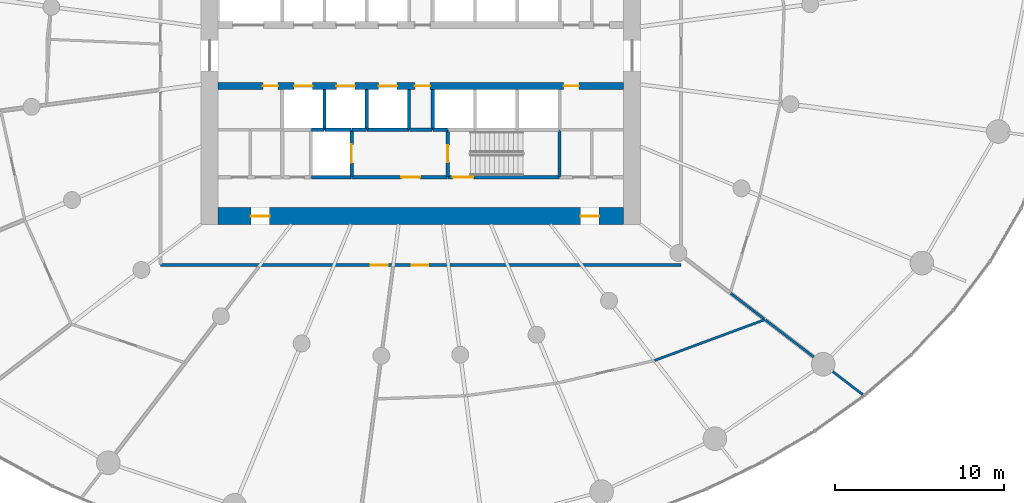
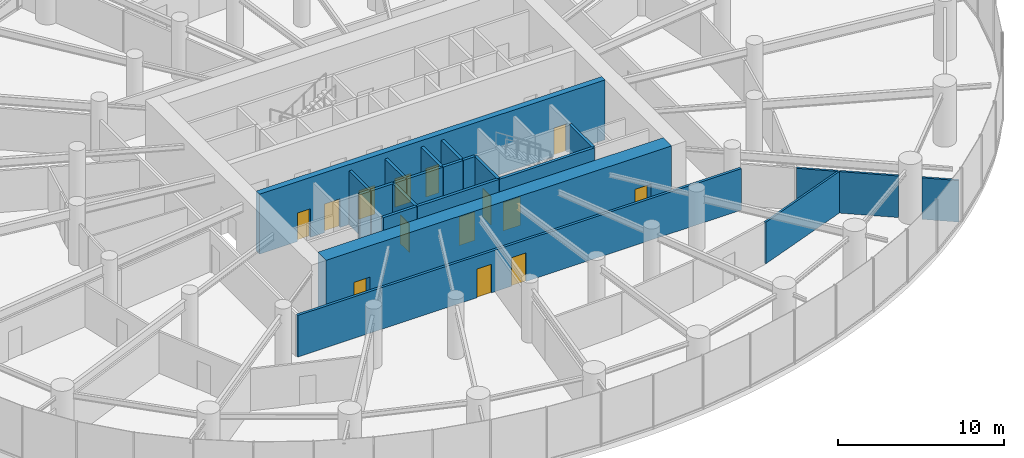
# One storey, part 12 of 18: 23 walls, 14 doors, 14 openings.
"""IFC4 building model written with IfcOpenShell, lengths in metres."""

from ifc_helpers import new_model, si_unit, direction, frame, frame_2d, origin, place, context, subcontext, project, spatial, rectangle, extrude, source, transform, mapped, material, layer, layer_set, type_object, element, fill, save


model = new_model("IFC4")

# Units and contexts
model_context = context("Model", 3, precision=1e-05, world=origin(), true_north=direction((0.0, 1.0)))
body_context = subcontext(model_context, "Body", "Model", "MODEL_VIEW")
ifc_project = project(units=[si_unit("LENGTHUNIT", "METRE"), si_unit("AREAUNIT", "SQUARE_METRE"), si_unit("VOLUMEUNIT", "CUBIC_METRE"), si_unit("PLANEANGLEUNIT", "RADIAN"), si_unit("MASSUNIT", "GRAM", prefix="KILO")], contexts=[model_context])

# Site, building, storey
site_placement = place(None, origin())
site = spatial("IfcSite", under=ifc_project, at=site_placement, CompositionType="ELEMENT")
building_placement = place(site_placement, origin())
building = spatial("IfcBuilding", under=site, at=building_placement, Name="Spindrift Exchange Tower", CompositionType="ELEMENT")
storey_placement = place(building_placement, frame((0.0, 0.0, 40.199951171875)))
storey = spatial("IfcBuildingStorey", under=building, at=storey_placement, Name="L09", CompositionType="ELEMENT", Elevation=40.199951171875)

# Wall, openings, doors
ifc_material_1 = material(Name="Concrete 80 MPa", Category="concrete")
ifc_layer_1 = layer(ifc_material_1, 1.0)
ifc_layer_set_1 = layer_set([ifc_layer_1], Name="RC Core Wall 1000 Concrete 80 MPa")
wall_type_1 = type_object("IfcWallType", Name="RC Core Wall 1000 Concrete 80 MPa", PredefinedType="SHEAR", material=ifc_layer_set_1)
wall_1_placement = place(storey_placement, frame((40.0, 38.5, 0.0), z_axis=(0.0, 0.0, 1.0), x_axis=(1.0, 0.0, 0.0)))
wall_1 = element("IfcWall", 1, at=wall_1_placement, inside=storey, type_object=wall_type_1, Name="Core wall S L09", PredefinedType="SHEAR", context=body_context, shape_type="SweptSolid", body=[
    extrude(rectangle(XDim=24.0, YDim=1.0, at=frame_2d((12.0, 0.0))), origin(), (0.0, 0.0, 1.0), 4.400146484375),
])
opening_1_placement = place(wall_1_placement, frame((21.449951171875, 0.0, 0.0)))
opening_1 = element("IfcOpeningElement", 2, at=opening_1_placement, cuts=wall_1, Name="Opening L09-D22", PredefinedType="OPENING", context=body_context, shape_type="SweptSolid", body=[
    extrude(rectangle(XDim=1.10009765625, YDim=2.10009765625, at=frame_2d((0.550048828125, 1.050048828125))), frame((0.0, 0.510009765625, 0.0), z_axis=(0.0, -1.0, 0.0), x_axis=(1.0, 0.0, 0.0)), (0.0, 0.0, 1.0), 1.02001953125),
])
opening_2_placement = place(wall_1_placement, frame((1.949951171875, 0.0, 0.0)))
opening_2 = element("IfcOpeningElement", 3, at=opening_2_placement, cuts=wall_1, Name="Opening L09-D23", PredefinedType="OPENING", context=body_context, shape_type="SweptSolid", body=[
    extrude(rectangle(XDim=1.10009765625, YDim=2.10009765625, at=frame_2d((0.550048828125, 1.050048828125))), frame((0.0, 0.510009765625, 0.0), z_axis=(0.0, -1.0, 0.0), x_axis=(1.0, 0.0, 0.0)), (0.0, 0.0, 1.0), 1.02001953125),
])
ifc_material_2 = material(Name="Steel fire door", Category="steel")
door_type_1 = type_object("IfcDoorType", Name="DR-STAIR-1100", OperationType="NOTDEFINED", PredefinedType="DOOR", material=ifc_material_2)
shared_shape_1 = source(origin(), body_context, "Body", "SweptSolid", [
    extrude(rectangle(XDim=1.10009765625, YDim=2.10009765625, at=frame_2d((0.550048828125, 1.050048828125))), frame((0.0, 0.02490234375, 0.0), z_axis=(0.0, -1.0, 0.0), x_axis=(1.0, 0.0, 0.0)), (0.0, 0.0, 1.0), 0.050048828125),
])
door_1_placement = place(opening_1_placement, origin())
door_1 = element("IfcDoor", 4, at=door_1_placement, inside=storey, type_object=door_type_1, Name="L09 Stair door 22", OperationType="SINGLE_SWING_LEFT", OverallHeight=2.10009765625, OverallWidth=1.10009765625, PredefinedType="DOOR", context=body_context, shape_type="MappedRepresentation", body=[
    mapped(shared_shape_1, transform((0.0, 0.0, 0.0), scale=1.0)),
])
fill(opening_1, door_1)
door_2_placement = place(opening_2_placement, origin())
door_2 = element("IfcDoor", 5, at=door_2_placement, inside=storey, type_object=door_type_1, Name="L09 Stair door 23", OperationType="SINGLE_SWING_RIGHT", OverallHeight=2.10009765625, OverallWidth=1.10009765625, PredefinedType="DOOR", context=body_context, shape_type="MappedRepresentation", body=[
    mapped(shared_shape_1, transform((0.0, 0.0, 0.0), scale=1.0)),
])
fill(opening_2, door_2)

ifc_layer_2 = layer(ifc_material_1, 0.39990234375)
ifc_layer_set_2 = layer_set([ifc_layer_2], Name="RC Spine Wall 400 Concrete 80 MPa")
wall_type_2 = type_object("IfcWallType", Name="RC Spine Wall 400 Concrete 80 MPa", PredefinedType="SHEAR", material=ifc_layer_set_2)
wall_2_placement = place(storey_placement, frame((40.0, 46.199951171875, 0.0), z_axis=(0.0, 0.0, 1.0), x_axis=(1.0, 0.0, 0.0)))
wall_2 = element("IfcWall", 6, at=wall_2_placement, inside=storey, type_object=wall_type_2, Name="Core spine wall S L09", PredefinedType="SHEAR", context=body_context, shape_type="SweptSolid", body=[
    extrude(rectangle(XDim=24.0, YDim=0.39990234375, at=frame_2d((12.0, 0.0))), origin(), (0.0, 0.0, 1.0), 4.400146484375),
])
opening_3_placement = place(wall_2_placement, frame((4.5, 0.0, 0.0)))
opening_3 = element("IfcOpeningElement", 7, at=opening_3_placement, cuts=wall_2, Name="Opening L09-D6", PredefinedType="OPENING", context=body_context, shape_type="SweptSolid", body=[
    extrude(rectangle(XDim=1.10009765625, YDim=2.10009765625, at=frame_2d((0.550048828125, 1.050048828125))), frame((0.0, 0.2099609375, 0.0), z_axis=(0.0, -1.0, 0.0), x_axis=(1.0, 0.0, 0.0)), (0.0, 0.0, 1.0), 0.419921875),
])
opening_4_placement = place(wall_2_placement, frame((7.0, 0.0, 0.0)))
opening_4 = element("IfcOpeningElement", 8, at=opening_4_placement, cuts=wall_2, Name="Opening L09-D7", PredefinedType="OPENING", context=body_context, shape_type="SweptSolid", body=[
    extrude(rectangle(XDim=1.10009765625, YDim=2.10009765625, at=frame_2d((0.550048828125, 1.050048828125))), frame((0.0, 0.2099609375, 0.0), z_axis=(0.0, -1.0, 0.0), x_axis=(1.0, 0.0, 0.0)), (0.0, 0.0, 1.0), 0.419921875),
])
opening_5_placement = place(wall_2_placement, frame((9.5, 0.0, 0.0)))
opening_5 = element("IfcOpeningElement", 9, at=opening_5_placement, cuts=wall_2, Name="Opening L09-D8", PredefinedType="OPENING", context=body_context, shape_type="SweptSolid", body=[
    extrude(rectangle(XDim=1.10009765625, YDim=2.10009765625, at=frame_2d((0.550048828125, 1.050048828125))), frame((0.0, 0.2099609375, 0.0), z_axis=(0.0, -1.0, 0.0), x_axis=(1.0, 0.0, 0.0)), (0.0, 0.0, 1.0), 0.419921875),
])
opening_6_placement = place(wall_2_placement, frame((20.449951171875, 0.0, 0.0)))
opening_6 = element("IfcOpeningElement", 10, at=opening_6_placement, cuts=wall_2, Name="Opening L09-D48", PredefinedType="OPENING", context=body_context, shape_type="SweptSolid", body=[
    extrude(rectangle(XDim=0.89990234375, YDim=2.10009765625, at=frame_2d((0.449951171875, 1.050048828125))), frame((0.0, 0.2099609375, 0.0), z_axis=(0.0, -1.0, 0.0), x_axis=(1.0, 0.0, 0.0)), (0.0, 0.0, 1.0), 0.419921875),
])
opening_7_placement = place(wall_2_placement, frame((2.64990234375, 0.0, 0.0)))
opening_7 = element("IfcOpeningElement", 11, at=opening_7_placement, cuts=wall_2, Name="Opening L09-D54", PredefinedType="OPENING", context=body_context, shape_type="SweptSolid", body=[
    extrude(rectangle(XDim=0.89990234375, YDim=2.10009765625, at=frame_2d((0.449951171875, 1.050048828125))), frame((0.0, 0.2099609375, 0.0), z_axis=(0.0, -1.0, 0.0), x_axis=(1.0, 0.0, 0.0)), (0.0, 0.0, 1.0), 0.419921875),
])
opening_8_placement = place(wall_2_placement, frame((11.64990234375, 0.0, 0.0)))
opening_8 = element("IfcOpeningElement", 12, at=opening_8_placement, cuts=wall_2, Name="Opening L09-D56", PredefinedType="OPENING", context=body_context, shape_type="SweptSolid", body=[
    extrude(rectangle(XDim=0.89990234375, YDim=2.10009765625, at=frame_2d((0.449951171875, 1.050048828125))), frame((0.0, 0.2099609375, 0.0), z_axis=(0.0, -1.0, 0.0), x_axis=(1.0, 0.0, 0.0)), (0.0, 0.0, 1.0), 0.419921875),
])
ifc_material_3 = material(Name="Stainless steel landing door", Category="steel")
door_type_2 = type_object("IfcDoorType", Name="DR-LANDING-1100-SL", OperationType="DOUBLE_DOOR_SLIDING", PredefinedType="USERDEFINED", material=ifc_material_3)
shared_shape_2 = source(origin(), body_context, "Body", "SweptSolid", [
    extrude(rectangle(XDim=1.10009765625, YDim=2.10009765625, at=frame_2d((0.550048828125, 1.050048828125))), frame((0.0, 0.02490234375, 0.0), z_axis=(0.0, -1.0, 0.0), x_axis=(1.0, 0.0, 0.0)), (0.0, 0.0, 1.0), 0.050048828125),
])
door_3_placement = place(opening_3_placement, origin())
door_3 = element("IfcDoor", 13, at=door_3_placement, inside=storey, type_object=door_type_2, Name="L09 Lift landing door 6", ObjectType="LANDING DOOR", OperationType="DOUBLE_DOOR_SLIDING", OverallHeight=2.10009765625, OverallWidth=1.10009765625, PredefinedType="USERDEFINED", context=body_context, shape_type="MappedRepresentation", body=[
    mapped(shared_shape_2, transform((0.0, 0.0, 0.0), scale=1.0)),
])
fill(opening_3, door_3)
door_4_placement = place(opening_4_placement, origin())
door_4 = element("IfcDoor", 14, at=door_4_placement, inside=storey, type_object=door_type_2, Name="L09 Lift landing door 7", ObjectType="LANDING DOOR", OperationType="DOUBLE_DOOR_SLIDING", OverallHeight=2.10009765625, OverallWidth=1.10009765625, PredefinedType="USERDEFINED", context=body_context, shape_type="MappedRepresentation", body=[
    mapped(shared_shape_2, transform((0.0, 0.0, 0.0), scale=1.0)),
])
fill(opening_4, door_4)
door_5_placement = place(opening_5_placement, origin())
door_5 = element("IfcDoor", 15, at=door_5_placement, inside=storey, type_object=door_type_2, Name="L09 Lift landing door 8", ObjectType="LANDING DOOR", OperationType="DOUBLE_DOOR_SLIDING", OverallHeight=2.10009765625, OverallWidth=1.10009765625, PredefinedType="USERDEFINED", context=body_context, shape_type="MappedRepresentation", body=[
    mapped(shared_shape_2, transform((0.0, 0.0, 0.0), scale=1.0)),
])
fill(opening_5, door_5)
ifc_material_4 = material(Name="Steel access door", Category="steel")
door_type_3 = type_object("IfcDoorType", Name="DR-RISER-900", OperationType="NOTDEFINED", PredefinedType="DOOR", material=ifc_material_4)
shared_shape_3 = source(origin(), body_context, "Body", "SweptSolid", [
    extrude(rectangle(XDim=0.89990234375, YDim=2.10009765625, at=frame_2d((0.449951171875, 1.050048828125))), frame((0.0, 0.02490234375, 0.0), z_axis=(0.0, -1.0, 0.0), x_axis=(1.0, 0.0, 0.0)), (0.0, 0.0, 1.0), 0.050048828125),
])
door_6_placement = place(opening_6_placement, origin())
door_6 = element("IfcDoor", 16, at=door_6_placement, inside=storey, type_object=door_type_3, Name="L09 Riser door 48", OperationType="SINGLE_SWING_LEFT", OverallHeight=2.10009765625, OverallWidth=0.89990234375, PredefinedType="DOOR", context=body_context, shape_type="MappedRepresentation", body=[
    mapped(shared_shape_3, transform((0.0, 0.0, 0.0), scale=1.0)),
])
fill(opening_6, door_6)
door_7_placement = place(opening_7_placement, origin())
door_7 = element("IfcDoor", 17, at=door_7_placement, inside=storey, type_object=door_type_3, Name="L09 Riser door 54", OperationType="SINGLE_SWING_LEFT", OverallHeight=2.10009765625, OverallWidth=0.89990234375, PredefinedType="DOOR", context=body_context, shape_type="MappedRepresentation", body=[
    mapped(shared_shape_3, transform((0.0, 0.0, 0.0), scale=1.0)),
])
fill(opening_7, door_7)
door_8_placement = place(opening_8_placement, origin())
door_8 = element("IfcDoor", 18, at=door_8_placement, inside=storey, type_object=door_type_3, Name="L09 Riser door 56", OperationType="SINGLE_SWING_LEFT", OverallHeight=2.10009765625, OverallWidth=0.89990234375, PredefinedType="DOOR", context=body_context, shape_type="MappedRepresentation", body=[
    mapped(shared_shape_3, transform((0.0, 0.0, 0.0), scale=1.0)),
])
fill(opening_8, door_8)

ifc_material_5 = material(Name="Fire-rated plasterboard partition", Category="gypsum")
ifc_layer_3 = layer(ifc_material_5, 0.179931640625)
ifc_layer_set_3 = layer_set([ifc_layer_3], Name="W-CORR-180")
wall_type_3 = type_object("IfcWallType", Name="W-CORR-180", PredefinedType="PARTITIONING", material=ifc_layer_set_3)
wall_3_placement = place(storey_placement, frame((67.39990234375, 35.60009765625, 0.0), z_axis=(0.0, 0.0, 1.0), x_axis=(-1.0, 0.0, 0.0)))
wall_3 = element("IfcWall", 19, at=wall_3_placement, inside=storey, type_object=wall_type_3, Name="L09 Partition wall 57", PredefinedType="PARTITIONING", context=body_context, shape_type="SweptSolid", body=[
    extrude(rectangle(XDim=30.7998046875, YDim=0.179931640625, at=frame_2d((15.39990234375, 0.0))), origin(), (0.0, 0.0, 1.0), 3.050048828125),
])
opening_9_placement = place(wall_3_placement, frame((17.35009765625, 0.0, 0.0)))
opening_9 = element("IfcOpeningElement", 20, at=opening_9_placement, cuts=wall_3, Name="Opening L09-D32", PredefinedType="OPENING", context=body_context, shape_type="SweptSolid", body=[
    extrude(rectangle(XDim=1.0, YDim=2.10009765625, at=frame_2d((0.5, 1.050048828125))), frame((0.0, 0.099853515625, 0.0), z_axis=(0.0, -1.0, 0.0), x_axis=(1.0, 0.0, 0.0)), (0.0, 0.0, 1.0), 0.199951171875),
])
opening_10_placement = place(wall_3_placement, frame((14.949951171875, 0.0, 0.0)))
opening_10 = element("IfcOpeningElement", 21, at=opening_10_placement, cuts=wall_3, Name="Opening L09-D33", PredefinedType="OPENING", context=body_context, shape_type="SweptSolid", body=[
    extrude(rectangle(XDim=1.0, YDim=2.10009765625, at=frame_2d((0.5, 1.050048828125))), frame((0.0, 0.099853515625, 0.0), z_axis=(0.0, -1.0, 0.0), x_axis=(1.0, 0.0, 0.0)), (0.0, 0.0, 1.0), 0.199951171875),
])
ifc_material_6 = material(Name="Timber-core fire door", Category="wood")
door_type_4 = type_object("IfcDoorType", Name="DR-ROOM-1000", OperationType="NOTDEFINED", PredefinedType="DOOR", material=ifc_material_6)
shared_shape_4 = source(origin(), body_context, "Body", "SweptSolid", [
    extrude(rectangle(XDim=1.0, YDim=2.10009765625, at=frame_2d((0.5, 1.050048828125))), frame((0.0, 0.02490234375, 0.0), z_axis=(0.0, -1.0, 0.0), x_axis=(1.0, 0.0, 0.0)), (0.0, 0.0, 1.0), 0.050048828125),
])
door_9_placement = place(opening_9_placement, origin())
door_9 = element("IfcDoor", 22, at=door_9_placement, inside=storey, type_object=door_type_4, Name="L09 Door 32", OperationType="SINGLE_SWING_LEFT", OverallHeight=2.10009765625, OverallWidth=1.0, PredefinedType="DOOR", context=body_context, shape_type="MappedRepresentation", body=[
    mapped(shared_shape_4, transform((0.0, 0.0, 0.0), scale=1.0)),
])
fill(opening_9, door_9)
door_10_placement = place(opening_10_placement, origin())
door_10 = element("IfcDoor", 23, at=door_10_placement, inside=storey, type_object=door_type_4, Name="L09 Door 33", OperationType="SINGLE_SWING_RIGHT", OverallHeight=2.10009765625, OverallWidth=1.0, PredefinedType="DOOR", context=body_context, shape_type="MappedRepresentation", body=[
    mapped(shared_shape_4, transform((0.0, 0.0, 0.0), scale=1.0)),
])
fill(opening_10, door_10)

# Walls
ifc_layer_4 = layer(ifc_material_5, 0.139892578125)
ifc_layer_set_4 = layer_set([ifc_layer_4], Name="W-PART-140")
wall_type_4 = type_object("IfcWallType", Name="W-PART-140", PredefinedType="PARTITIONING", material=ifc_layer_set_4)
wall_4_placement = place(storey_placement, frame((65.839599609375, 29.9638671875, 0.0), z_axis=(0.0, 0.0, 1.0), x_axis=(0.937795770534, 0.347187402953, 0.0)))
element("IfcWall", 24, at=wall_4_placement, inside=storey, type_object=wall_type_4, Name="L09 Partition wall 69", PredefinedType="PARTITIONING", context=body_context, shape_type="SweptSolid", body=[
    extrude(rectangle(XDim=6.952392578125, YDim=0.139892578125, at=frame_2d((3.47607421875, 0.0))), origin(), (0.0, 0.0, 1.0), 3.050048828125),
])
wall_5_placement = place(storey_placement, frame((72.38330078125, 32.359375, 0.0), z_axis=(0.0, 0.0, 1.0), x_axis=(0.793374011923, -0.608734488267, 0.0)))
element("IfcWall", 25, at=wall_5_placement, inside=storey, type_object=wall_type_4, Name="L09 Partition wall 102", PredefinedType="PARTITIONING", context=body_context, shape_type="SweptSolid", body=[
    extrude(rectangle(XDim=3.60302734375, YDim=0.139892578125, at=frame_2d((1.801513671875, 0.0))), origin(), (0.0, 0.0, 1.0), 3.050048828125),
])
wall_6_placement = place(storey_placement, frame((70.329833984375, 33.93505859375, 0.0), z_axis=(0.0, 0.0, 1.0), x_axis=(0.793360275681, -0.608752390526, 0.0)))
element("IfcWall", 26, at=wall_6_placement, inside=storey, type_object=wall_type_4, Name="L09 Partition wall 110", PredefinedType="PARTITIONING", context=body_context, shape_type="SweptSolid", body=[
    extrude(rectangle(XDim=2.4755859375, YDim=0.139892578125, at=frame_2d((1.23779296875, 0.0))), origin(), (0.0, 0.0, 1.0), 3.050048828125),
])
wall_7_placement = place(storey_placement, frame((76.359375, 29.30859375, 0.0), z_axis=(0.0, 0.0, 1.0), x_axis=(0.793298337488, -0.608833103353, 0.0)))
element("IfcWall", 27, at=wall_7_placement, inside=storey, type_object=wall_type_4, Name="L09 Partition wall 113", PredefinedType="PARTITIONING", context=body_context, shape_type="SweptSolid", body=[
    extrude(rectangle(XDim=2.24609375, YDim=0.139892578125, at=frame_2d((1.123046875, 0.0))), origin(), (0.0, 0.0, 1.0), 3.050048828125),
])

# Wall, opening, door
ifc_material_7 = material(Name="Concrete 40 MPa", Category="concrete")
ifc_layer_5 = layer(ifc_material_7, 0.199951171875)
ifc_layer_set_5 = layer_set([ifc_layer_5], Name="W-SHAFT-200")
wall_type_5 = type_object("IfcWallType", Name="W-SHAFT-200", PredefinedType="SOLIDWALL", material=ifc_layer_set_5)
wall_8_placement = place(storey_placement, frame((47.89990234375, 40.830078125, 0.0), z_axis=(0.0, 0.0, 1.0), x_axis=(0.0, 1.0, 0.0)))
wall_8 = element("IfcWall", 28, at=wall_8_placement, inside=storey, type_object=wall_type_5, Name="L09 Shaft wall 8", PredefinedType="SOLIDWALL", context=body_context, shape_type="SweptSolid", body=[
    extrude(rectangle(XDim=2.77001953125, YDim=0.199951171875, at=frame_2d((1.385009765625, 0.0))), origin(), (0.0, 0.0, 1.0), 3.949951171875),
])
opening_11_placement = place(wall_8_placement, frame((0.820068359375, 0.0, 0.0)))
opening_11 = element("IfcOpeningElement", 29, at=opening_11_placement, cuts=wall_8, Name="Opening L09-D10", PredefinedType="OPENING", context=body_context, shape_type="SweptSolid", body=[
    extrude(rectangle(XDim=1.10009765625, YDim=2.10009765625, at=frame_2d((0.550048828125, 1.050048828125))), frame((0.0, 0.10986328125, 0.0), z_axis=(0.0, -1.0, 0.0), x_axis=(1.0, 0.0, 0.0)), (0.0, 0.0, 1.0), 0.219970703125),
])
door_11_placement = place(opening_11_placement, origin())
door_11 = element("IfcDoor", 30, at=door_11_placement, inside=storey, type_object=door_type_2, Name="L09 Lift landing door 10", ObjectType="LANDING DOOR", OperationType="DOUBLE_DOOR_SLIDING", OverallHeight=2.10009765625, OverallWidth=1.10009765625, PredefinedType="USERDEFINED", context=body_context, shape_type="MappedRepresentation", body=[
    mapped(shared_shape_2, transform((0.0, 0.0, 0.0), scale=1.0)),
])
fill(opening_11, door_11)

# Walls
wall_9_placement = place(storey_placement, frame((48.800048828125, 43.60009765625, 0.0), z_axis=(0.0, 0.0, 1.0), x_axis=(1.0, 0.0, 0.0)))
element("IfcWall", 31, at=wall_9_placement, inside=storey, type_object=wall_type_5, Name="L09 Shaft wall 17", PredefinedType="SOLIDWALL", context=body_context, shape_type="SweptSolid", body=[
    extrude(rectangle(XDim=2.5, YDim=0.199951171875, at=frame_2d((1.25, 0.0))), origin(), (0.0, 0.0, 1.0), 3.949951171875),
])
wall_10_placement = place(storey_placement, frame((45.530029296875, 40.800048828125, 0.0), z_axis=(0.0, 0.0, 1.0), x_axis=(1.0, 0.0, 0.0)))
element("IfcWall", 32, at=wall_10_placement, inside=storey, type_object=wall_type_5, Name="L09 Shaft wall 21", PredefinedType="SOLIDWALL", context=body_context, shape_type="SweptSolid", body=[
    extrude(rectangle(XDim=2.340087890625, YDim=0.199951171875, at=frame_2d((1.169921875, 0.0))), origin(), (0.0, 0.0, 1.0), 3.949951171875),
])
wall_11_placement = place(storey_placement, frame((46.300048828125, 43.60009765625, 0.0), z_axis=(0.0, 0.0, 1.0), x_axis=(0.0, 1.0, 0.0)))
element("IfcWall", 33, at=wall_11_placement, inside=storey, type_object=wall_type_5, Name="L09 Shaft wall 25", PredefinedType="SOLIDWALL", context=body_context, shape_type="SweptSolid", body=[
    extrude(rectangle(XDim=2.389892578125, YDim=0.199951171875, at=frame_2d((1.19482421875, 0.0))), origin(), (0.0, 0.0, 1.0), 3.949951171875),
])
for number, where, z_axis, x_axis, name in (
    (34, (48.800048828125, 43.6298828125, 0.0), (0.0, 0.0, 1.0), (0.0, 1.0, 0.0), "L09 Shaft wall 27"),
    (35, (51.300048828125, 43.6298828125, 0.0), (0.0, 0.0, 1.0), (0.0, 1.0, 0.0), "L09 Shaft wall 29"),
):
    element("IfcWall", number, at=place(storey_placement, frame(where, z_axis=z_axis, x_axis=x_axis)), inside=storey, type_object=wall_type_5, Name=name, PredefinedType="SOLIDWALL", context=body_context, shape_type="SweptSolid", body=[
        extrude(rectangle(XDim=2.360107421875, YDim=0.199951171875, at=frame_2d((1.18017578125, 0.0))), origin(), (0.0, 0.0, 1.0), 3.949951171875),
    ])
wall_12_placement = place(storey_placement, frame((52.699951171875, 45.989990234375, 0.0), z_axis=(0.0, 0.0, 1.0), x_axis=(0.0, -1.0, 0.0)))
element("IfcWall", 36, at=wall_12_placement, inside=storey, type_object=wall_type_5, Name="L09 Shaft wall 31", PredefinedType="SOLIDWALL", context=body_context, shape_type="SweptSolid", body=[
    extrude(rectangle(XDim=2.389892578125, YDim=0.199951171875, at=frame_2d((1.19482421875, 0.0))), origin(), (0.0, 0.0, 1.0), 3.949951171875),
])
wall_13_placement = place(storey_placement, frame((46.330078125, 43.60009765625, 0.0), z_axis=(0.0, 0.0, 1.0), x_axis=(1.0, 0.0, 0.0)))
element("IfcWall", 37, at=wall_13_placement, inside=storey, type_object=wall_type_5, Name="L09 Shaft wall 44", PredefinedType="SOLIDWALL", context=body_context, shape_type="SweptSolid", body=[
    extrude(rectangle(XDim=1.5400390625, YDim=0.199951171875, at=frame_2d((0.77001953125, 0.0))), origin(), (0.0, 0.0, 1.0), 3.949951171875),
])
wall_14_placement = place(storey_placement, frame((52.669921875, 43.60009765625, 0.0), z_axis=(0.0, 0.0, 1.0), x_axis=(-1.0, 0.0, 0.0)))
element("IfcWall", 38, at=wall_14_placement, inside=storey, type_object=wall_type_5, Name="L09 Shaft wall 48", PredefinedType="SOLIDWALL", context=body_context, shape_type="SweptSolid", body=[
    extrude(rectangle(XDim=1.33984375, YDim=0.199951171875, at=frame_2d((0.669921875, 0.0))), origin(), (0.0, 0.0, 1.0), 3.949951171875),
])
wall_15_placement = place(storey_placement, frame((47.929931640625, 43.60009765625, 0.0), z_axis=(0.0, 0.0, 1.0), x_axis=(1.0, 0.0, 0.0)))
element("IfcWall", 39, at=wall_15_placement, inside=storey, type_object=wall_type_5, Name="L09 Shaft wall 50", PredefinedType="SOLIDWALL", context=body_context, shape_type="SweptSolid", body=[
    extrude(rectangle(XDim=0.840087890625, YDim=0.199951171875, at=frame_2d((0.419921875, 0.0))), origin(), (0.0, 0.0, 1.0), 3.949951171875),
])
wall_16_placement = place(storey_placement, frame((45.530029296875, 43.60009765625, 0.0), z_axis=(0.0, 0.0, 1.0), x_axis=(1.0, 0.0, 0.0)))
element("IfcWall", 40, at=wall_16_placement, inside=storey, type_object=wall_type_5, Name="L09 Shaft wall 54", PredefinedType="SOLIDWALL", context=body_context, shape_type="SweptSolid", body=[
    extrude(rectangle(XDim=0.739990234375, YDim=0.199951171875, at=frame_2d((0.3701171875, 0.0))), origin(), (0.0, 0.0, 1.0), 3.949951171875),
])

# Wall, opening, door
ifc_layer_6 = layer(ifc_material_7, 0.199951171875)
ifc_layer_set_6 = layer_set([ifc_layer_6], Name="W-SHAFT-200-LB")
wall_type_6 = type_object("IfcWallType", Name="W-SHAFT-200-LB", PredefinedType="SOLIDWALL", material=ifc_layer_set_6)
wall_17_placement = place(storey_placement, frame((53.60009765625, 40.800048828125, 0.0), z_axis=(0.0, 0.0, 1.0), x_axis=(1.0, 0.0, 0.0)))
wall_17 = element("IfcWall", 41, at=wall_17_placement, inside=storey, type_object=wall_type_6, Name="L09 Shaft wall 2", PredefinedType="SOLIDWALL", context=body_context, shape_type="SweptSolid", body=[
    extrude(rectangle(XDim=6.599853515625, YDim=0.199951171875, at=frame_2d((3.2998046875, 0.0))), origin(), (0.0, 0.0, 1.0), 3.949951171875),
])
opening_12_placement = place(wall_17_placement, frame((0.300048828125, 0.0, 0.0)))
opening_12 = element("IfcOpeningElement", 42, at=opening_12_placement, cuts=wall_17, Name="Opening L09-D16", PredefinedType="OPENING", context=body_context, shape_type="SweptSolid", body=[
    extrude(rectangle(XDim=1.199951171875, YDim=2.10009765625, at=frame_2d((0.60009765625, 1.050048828125))), frame((0.0, 0.10986328125, 0.0), z_axis=(0.0, -1.0, 0.0), x_axis=(1.0, 0.0, 0.0)), (0.0, 0.0, 1.0), 0.219970703125),
])
door_type_5 = type_object("IfcDoorType", Name="DR-STAIR-1200", OperationType="NOTDEFINED", PredefinedType="DOOR", material=ifc_material_2)
shared_shape_5 = source(origin(), body_context, "Body", "SweptSolid", [
    extrude(rectangle(XDim=1.199951171875, YDim=2.10009765625, at=frame_2d((0.60009765625, 1.050048828125))), frame((0.0, 0.02490234375, 0.0), z_axis=(0.0, -1.0, 0.0), x_axis=(1.0, 0.0, 0.0)), (0.0, 0.0, 1.0), 0.050048828125),
])
door_12_placement = place(opening_12_placement, origin())
door_12 = element("IfcDoor", 43, at=door_12_placement, inside=storey, type_object=door_type_5, Name="L09 Stair door 16", OperationType="SINGLE_SWING_LEFT", OverallHeight=2.10009765625, OverallWidth=1.199951171875, PredefinedType="DOOR", context=body_context, shape_type="MappedRepresentation", body=[
    mapped(shared_shape_5, transform((0.0, 0.0, 0.0), scale=1.0)),
])
fill(opening_12, door_12)

wall_18_placement = place(storey_placement, frame((47.89990234375, 40.800048828125, 0.0), z_axis=(0.0, 0.0, 1.0), x_axis=(1.0, 0.0, 0.0)))
wall_18 = element("IfcWall", 44, at=wall_18_placement, inside=storey, type_object=wall_type_6, Name="L09 Shaft wall 3", PredefinedType="SOLIDWALL", context=body_context, shape_type="SweptSolid", body=[
    extrude(rectangle(XDim=5.670166015625, YDim=0.199951171875, at=frame_2d((2.8349609375, 0.0))), origin(), (0.0, 0.0, 1.0), 3.949951171875),
])
opening_13_placement = place(wall_18_placement, frame((2.949951171875, 0.0, 0.0)))
opening_13 = element("IfcOpeningElement", 45, at=opening_13_placement, cuts=wall_18, Name="Opening L09-D18", PredefinedType="OPENING", context=body_context, shape_type="SweptSolid", body=[
    extrude(rectangle(XDim=1.10009765625, YDim=2.10009765625, at=frame_2d((0.550048828125, 1.050048828125))), frame((0.0, 0.10986328125, 0.0), z_axis=(0.0, -1.0, 0.0), x_axis=(1.0, 0.0, 0.0)), (0.0, 0.0, 1.0), 0.219970703125),
])
door_type_6 = type_object("IfcDoorType", Name="DR-LOBBY-1100", OperationType="NOTDEFINED", PredefinedType="DOOR", material=ifc_material_6)
shared_shape_6 = source(origin(), body_context, "Body", "SweptSolid", [
    extrude(rectangle(XDim=1.10009765625, YDim=2.10009765625, at=frame_2d((0.550048828125, 1.050048828125))), frame((0.0, 0.02490234375, 0.0), z_axis=(0.0, -1.0, 0.0), x_axis=(1.0, 0.0, 0.0)), (0.0, 0.0, 1.0), 0.050048828125),
])
door_13_placement = place(opening_13_placement, origin())
door_13 = element("IfcDoor", 46, at=door_13_placement, inside=storey, type_object=door_type_6, Name="L09 Lobby door 18", OperationType="SINGLE_SWING_LEFT", OverallHeight=2.10009765625, OverallWidth=1.10009765625, PredefinedType="DOOR", context=body_context, shape_type="MappedRepresentation", body=[
    mapped(shared_shape_6, transform((0.0, 0.0, 0.0), scale=1.0)),
])
fill(opening_13, door_13)

# Wall
wall_19_placement = place(storey_placement, frame((60.199951171875, 40.830078125, 0.0), z_axis=(0.0, 0.0, 1.0), x_axis=(0.0, 1.0, 0.0)))
element("IfcWall", 47, at=wall_19_placement, inside=storey, type_object=wall_type_6, Name="L09 Shaft wall 10", PredefinedType="SOLIDWALL", context=body_context, shape_type="SweptSolid", body=[
    extrude(rectangle(XDim=2.77001953125, YDim=0.199951171875, at=frame_2d((1.385009765625, 0.0))), origin(), (0.0, 0.0, 1.0), 3.949951171875),
])

# Wall, opening, door
wall_20_placement = place(storey_placement, frame((53.60009765625, 43.60009765625, 0.0), z_axis=(0.0, 0.0, 1.0), x_axis=(0.0, -1.0, 0.0)))
wall_20 = element("IfcWall", 48, at=wall_20_placement, inside=storey, type_object=wall_type_6, Name="L09 Shaft wall 11", PredefinedType="SOLIDWALL", context=body_context, shape_type="SweptSolid", body=[
    extrude(rectangle(XDim=2.77001953125, YDim=0.199951171875, at=frame_2d((1.385009765625, 0.0))), origin(), (0.0, 0.0, 1.0), 3.949951171875),
])
opening_14_placement = place(wall_20_placement, frame((0.89990234375, 0.0, 0.0)))
opening_14 = element("IfcOpeningElement", 49, at=opening_14_placement, cuts=wall_20, Name="Opening L09-D17", PredefinedType="OPENING", context=body_context, shape_type="SweptSolid", body=[
    extrude(rectangle(XDim=1.0, YDim=2.10009765625, at=frame_2d((0.5, 1.050048828125))), frame((0.0, 0.10986328125, 0.0), z_axis=(0.0, -1.0, 0.0), x_axis=(1.0, 0.0, 0.0)), (0.0, 0.0, 1.0), 0.219970703125),
])
door_type_7 = type_object("IfcDoorType", Name="DR-STAIR-1000", OperationType="NOTDEFINED", PredefinedType="DOOR", material=ifc_material_2)
shared_shape_7 = source(origin(), body_context, "Body", "SweptSolid", [
    extrude(rectangle(XDim=1.0, YDim=2.10009765625, at=frame_2d((0.5, 1.050048828125))), frame((0.0, 0.02490234375, 0.0), z_axis=(0.0, -1.0, 0.0), x_axis=(1.0, 0.0, 0.0)), (0.0, 0.0, 1.0), 0.050048828125),
])
door_14_placement = place(opening_14_placement, origin())
door_14 = element("IfcDoor", 50, at=door_14_placement, inside=storey, type_object=door_type_7, Name="L09 Stair door 17", OperationType="SINGLE_SWING_RIGHT", OverallHeight=2.10009765625, OverallWidth=1.0, PredefinedType="DOOR", context=body_context, shape_type="MappedRepresentation", body=[
    mapped(shared_shape_7, transform((0.0, 0.0, 0.0), scale=1.0)),
])
fill(opening_14, door_14)

# Wall
wall_21_placement = place(storey_placement, frame((52.72998046875, 43.60009765625, 0.0), z_axis=(0.0, 0.0, 1.0), x_axis=(1.0, 0.0, 0.0)))
element("IfcWall", 51, at=wall_21_placement, inside=storey, type_object=wall_type_6, Name="L09 Shaft wall 52", PredefinedType="SOLIDWALL", context=body_context, shape_type="SweptSolid", body=[
    extrude(rectangle(XDim=0.840087890625, YDim=0.199951171875, at=frame_2d((0.419921875, 0.0))), origin(), (0.0, 0.0, 1.0), 3.949951171875),
])

save(model, "model.ifc")
